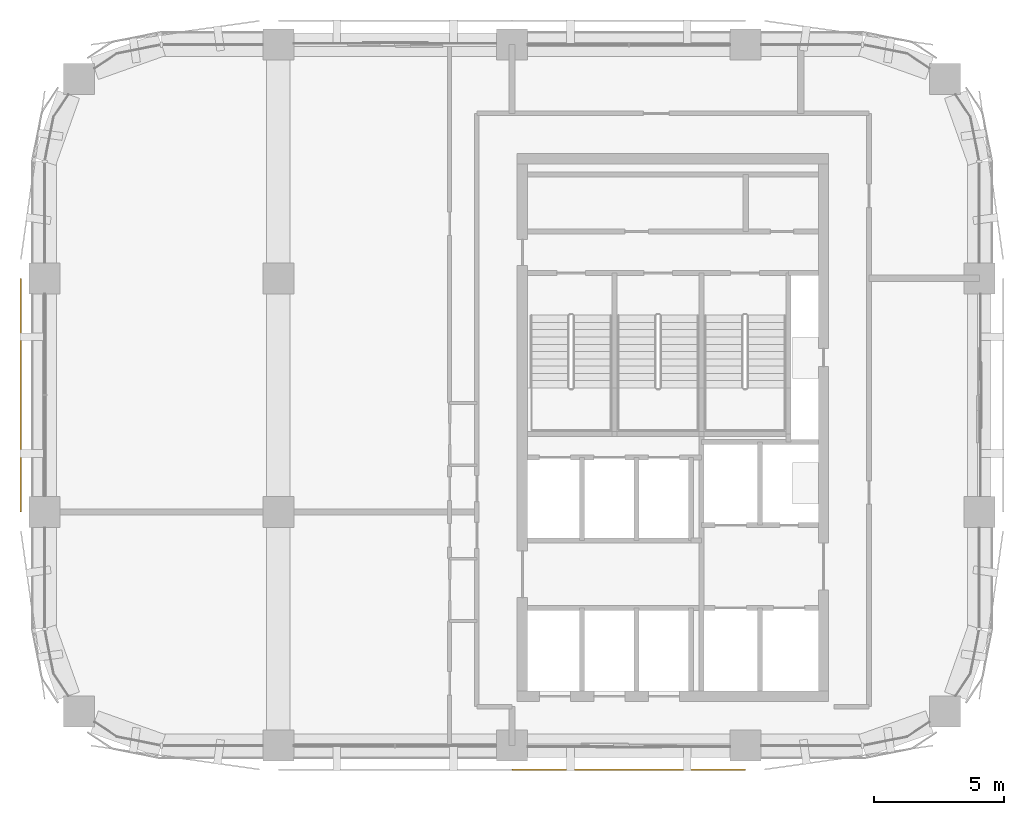
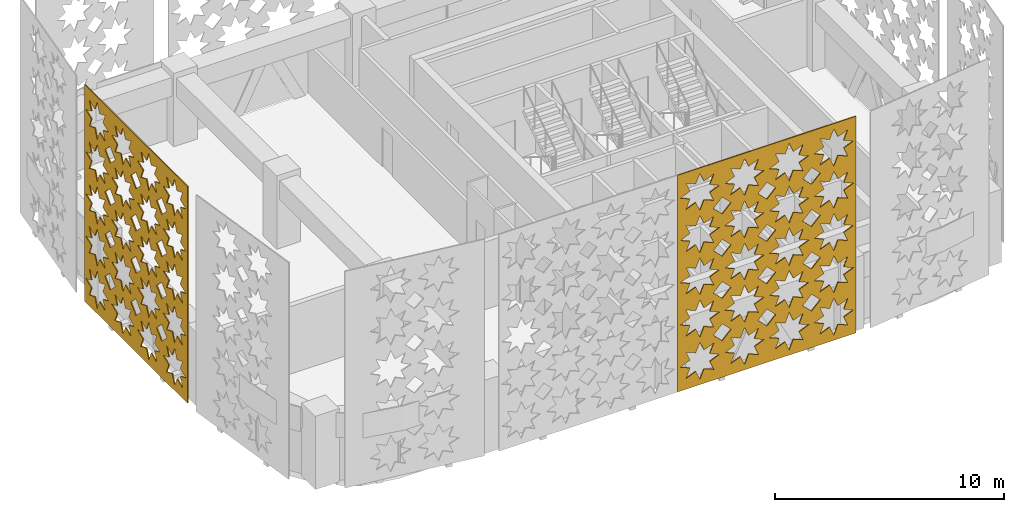
# One storey, part 10 of 14: 2 coverings.
"""IFC4 building model written with IfcOpenShell, lengths in metres."""

import ifcopenshell
import ifcopenshell.guid

model = None  # the IFC model being written
_history = None  # IfcOwnerHistory: only IFC2X3 demands one
_inside = {}  # id of a spatial element -> (the spatial element, [elements in it])
_under = {}  # id of a project, library or spatial element -> (it, [spatial elements below it])
_declared = {}  # id of a project -> (the project, [libraries it declares])
_typed = {}  # id of a type object -> (the type object, [elements of that type])
_made_of = {}  # id of a material, layer set ... -> (it, [elements and type objects made of it])


def new_model(schema):
    """Start an empty IFC model of exactly this schema.

    Asked for "IFC4X3", IfcOpenShell would pick the latest addendum, in which some entities
    have other attributes; the version numbers below select the first issue.
    IFC2X3 requires an IfcOwnerHistory on every rooted entity: one is made here for all.
    """
    global model, _history
    if schema == "IFC4X3":
        model = ifcopenshell.file(schema_version=(4, 3, 0, 0))
    else:
        model = ifcopenshell.file(schema=schema)
    _inside.clear()
    _under.clear()
    _declared.clear()
    _typed.clear()
    _made_of.clear()
    _history = None
    if model.schema == "IFC2X3":
        org = make("IfcOrganization", Name="unknown")
        user = make(
            "IfcPersonAndOrganization",
            ThePerson=make("IfcPerson", FamilyName="unknown"),
            TheOrganization=org,
        )
        app = make(
            "IfcApplication",
            ApplicationDeveloper=org,
            Version="unknown",
            ApplicationFullName="unknown",
            ApplicationIdentifier="unknown",
        )
        _history = make(
            "IfcOwnerHistory",
            OwningUser=user,
            OwningApplication=app,
            ChangeAction="ADDED",
            CreationDate=0,
        )
    return model


def make(cls, **values):
    """One entity of the class cls with the attributes given. An attribute that is None is left unset."""
    return model.create_entity(
        cls, **{name: value for name, value in values.items() if value is not None}
    )


def rooted(cls, **values):
    """An entity with a GlobalId (a new one), such as an element, a storey or a relation."""
    return make(cls, GlobalId=ifcopenshell.guid.new(), OwnerHistory=_history, **values)


def si_unit(unit_type, name, prefix=None):
    """IfcSIUnit, for example si_unit("LENGTHUNIT", "METRE", prefix="MILLI")."""
    return make("IfcSIUnit", UnitType=unit_type, Prefix=prefix, Name=name)


def assignment(units):
    """IfcUnitAssignment: the units of a project."""
    return None if units is None else make("IfcUnitAssignment", Units=units)


def point(xyz):
    """IfcCartesianPoint."""
    return None if xyz is None else make("IfcCartesianPoint", Coordinates=xyz)


def direction(xyz):
    """IfcDirection."""
    return None if xyz is None else make("IfcDirection", DirectionRatios=xyz)


def frame(location, z_axis=None, x_axis=None):
    """IfcAxis2Placement3D, a coordinate frame: its origin and axes. An axis left out is left unset."""
    return make(
        "IfcAxis2Placement3D",
        Location=point(location),
        Axis=direction(z_axis),
        RefDirection=direction(x_axis),
    )


def origin():
    """The frame at (0, 0, 0) with its axes left unset."""
    return frame((0.0, 0.0, 0.0))


def place(relative_to, where):
    """IfcLocalPlacement: puts the frame where relative to a parent placement (None: the world)."""
    return make(
        "IfcLocalPlacement", PlacementRelTo=relative_to, RelativePlacement=where
    )


def context(
    kind, dimensions, precision=None, world=None, true_north=None, identifier=None
):
    """IfcGeometricRepresentationContext, for example the 3D "Model" context."""
    return make(
        "IfcGeometricRepresentationContext",
        ContextIdentifier=identifier,
        ContextType=kind,
        CoordinateSpaceDimension=dimensions,
        Precision=precision,
        WorldCoordinateSystem=world,
        TrueNorth=true_north,
    )


def subcontext(parent, identifier, kind, view, scale=None):
    """IfcGeometricRepresentationSubContext, for example "Body" below "Model"."""
    return make(
        "IfcGeometricRepresentationSubContext",
        ContextIdentifier=identifier,
        ContextType=kind,
        ParentContext=parent,
        TargetScale=scale,
        TargetView=view,
    )


def project(units=None, contexts=None):
    """IfcProject with its units and contexts."""
    return rooted(
        "IfcProject",
        Name="project",
        RepresentationContexts=contexts,
        UnitsInContext=assignment(units),
    )


def spatial(cls, under=None, at=None, **own):
    """A site, building, storey or space (cls), placed at a placement, below another one or the project."""
    s = rooted(cls, ObjectPlacement=at, **own)
    if under is not None:
        _under.setdefault(under.id(), (under, []))[1].append(s)
    return s


def polyline(points):
    """IfcPolyline through the points."""
    return make("IfcPolyline", Points=[point(p) for p in points])


def outline(outer, holes=None, kind="AREA"):
    """IfcArbitraryClosedProfileDef: a profile drawn as a closed curve; with holes, ...WithVoids."""
    if holes is None:
        return make("IfcArbitraryClosedProfileDef", ProfileType=kind, OuterCurve=outer)
    return make(
        "IfcArbitraryProfileDefWithVoids",
        ProfileType=kind,
        OuterCurve=outer,
        InnerCurves=holes,
    )


def extrude(swept, where, along, depth):
    """IfcExtrudedAreaSolid: the profile swept, set in the frame where, extruded along a direction by depth."""
    return make(
        "IfcExtrudedAreaSolid",
        SweptArea=swept,
        Position=where,
        ExtrudedDirection=direction(along),
        Depth=depth,
    )


def shape(context_of_items, identifier, shape_type, items):
    """IfcShapeRepresentation: the items that make up one representation, for example the "Body"."""
    return make(
        "IfcShapeRepresentation",
        ContextOfItems=context_of_items,
        RepresentationIdentifier=identifier,
        RepresentationType=shape_type,
        Items=items,
    )


def material(Name=None, Category=None):
    """IfcMaterial."""
    return make("IfcMaterial", Name=Name, Category=Category)


def layer(
    of_material, thickness, ventilated=None, Name=None, Category=None, Priority=None
):
    """IfcMaterialLayer: one layer of a wall or slab, of a material (None: an air gap)."""
    return make(
        "IfcMaterialLayer",
        Material=of_material,
        LayerThickness=thickness,
        IsVentilated=ventilated,
        Name=Name,
        Category=Category,
        Priority=Priority,
    )


def layer_set(layers, Name=None):
    """IfcMaterialLayerSet."""
    return make("IfcMaterialLayerSet", MaterialLayers=layers, LayerSetName=Name)


def made_of(thing, what):
    """Note that an element or type object is made of a material, layer set ...; save() writes the relation."""
    if what is not None:
        _made_of.setdefault(what.id(), (what, []))[1].append(thing)
    return thing


def type_object(cls, material=None, **own):
    """A type object (cls), such as IfcWallType, which elements share."""
    return made_of(rooted(cls, **own), material)


def element(
    cls,
    number,
    at=None,
    inside=None,
    cuts=None,
    type_object=None,
    material=None,
    context=None,
    identifier="Body",
    shape_type=None,
    held_by="IfcProductDefinitionShape",
    body=None,
    shapes=None,
    **own,
):
    """One element of the class cls, such as IfcWall. Its Tag is "e" and its number.

    at: its placement. inside: the storey or other place that contains it. cuts: it is an
    opening in that element (IfcRelVoidsElement). A single representation is given by context,
    identifier, shape_type and body (its items); several are given by shapes. held_by: the class
    of the entity that holds the representations. save() writes the other relations.
    """
    e = rooted(cls, Tag="e%d" % number, ObjectPlacement=at, **own)
    if body is not None:
        shapes = [shape(context, identifier, shape_type, body)]
    if shapes is not None:
        e.Representation = make(held_by, Representations=shapes)
    if inside is not None:
        _inside.setdefault(inside.id(), (inside, []))[1].append(e)
    if cuts is not None:
        rooted(
            "IfcRelVoidsElement", RelatingBuildingElement=cuts, RelatedOpeningElement=e
        )
    if type_object is not None:
        _typed.setdefault(type_object.id(), (type_object, []))[1].append(e)
    return made_of(e, material)


def aggregate(whole, parts):
    """IfcRelAggregates: a whole, such as a stair, and the parts it consists of."""
    return rooted("IfcRelAggregates", RelatingObject=whole, RelatedObjects=parts)


def save(model, path):
    """Write the relations noted so far, then the file.

    IfcRelAggregates (storeys below a building ...), IfcRelContainedInSpatialStructure (elements
    in a storey), IfcRelDefinesByType, IfcRelAssociatesMaterial and IfcRelDeclares: one each for
    every whole, place, type object, material and project.
    """
    for whole, parts in _under.values():
        aggregate(whole, parts)
    for where, things in _inside.values():
        rooted(
            "IfcRelContainedInSpatialStructure",
            RelatedElements=things,
            RelatingStructure=where,
        )
    for kind, things in _typed.values():
        rooted("IfcRelDefinesByType", RelatedObjects=things, RelatingType=kind)
    for what, things in _made_of.values():
        rooted("IfcRelAssociatesMaterial", RelatedObjects=things, RelatingMaterial=what)
    for by, libraries in _declared.values():
        rooted("IfcRelDeclares", RelatingContext=by, RelatedDefinitions=libraries)
    model.write(path)


model = new_model("IFC4")

# Units and contexts
model_context = context("Model", 3, precision=1e-05, world=origin(), true_north=direction((0.0, 1.0)))
body_context = subcontext(model_context, "Body", "Model", "MODEL_VIEW")
ifc_project = project(units=[si_unit("LENGTHUNIT", "METRE"), si_unit("AREAUNIT", "SQUARE_METRE"), si_unit("VOLUMEUNIT", "CUBIC_METRE"), si_unit("PLANEANGLEUNIT", "RADIAN"), si_unit("MASSUNIT", "GRAM", prefix="KILO")], contexts=[model_context])

# Site, building, storey
site_placement = place(None, origin())
site = spatial("IfcSite", under=ifc_project, at=site_placement, CompositionType="ELEMENT")
building_placement = place(site_placement, origin())
building = spatial("IfcBuilding", under=site, at=building_placement, Name="Tessera Arch", CompositionType="ELEMENT")
storey_placement = place(building_placement, frame((0.0, 0.0, 269.60009765625)))
storey = spatial("IfcBuildingStorey", under=building, at=storey_placement, Name="L65", CompositionType="ELEMENT", Elevation=269.60009765625)

# Coverings
ifc_material = material(Name="Anodised aluminium pale metal", Category="aluminium")
ifc_layer = layer(ifc_material, 0.050048828125)
ifc_layer_set = layer_set([ifc_layer], Name="Pierced screen panel straight bay")
covering_type = type_object("IfcCoveringType", Name="Pierced screen panel straight bay", PredefinedType="CLADDING", material=ifc_layer_set)
covering_1_placement = place(storey_placement, frame((17.10009765625, 45.0, 11.699951171875), z_axis=(1.0, 0.0, 0.0), x_axis=(0.0, -1.0, 0.0)))
element("IfcCovering", 1, at=covering_1_placement, inside=storey, type_object=covering_type, Name="SCREEN pierced panel W18.27/1 L65-L67", PredefinedType="CLADDING", context=body_context, shape_type="SweptSolid", body=[
    extrude(outline(polyline([(0.0, 0.0), (9.0, 0.0), (9.0, 11.5400390625), (0.0, 11.5400390625), (0.0, 0.0)]), holes=[polyline([(2.114990234375, 10.27001953125), (1.6240234375, 10.06298828125), (1.824951171875, 9.570068359375), (1.33203125, 9.77099609375), (1.125, 9.280029296875), (0.91796875, 9.77099609375), (0.425048828125, 9.570068359375), (0.6259765625, 10.06298828125), (0.135009765625, 10.27001953125), (0.6259765625, 10.47705078125), (0.425048828125, 10.969970703125), (0.91796875, 10.76904296875), (1.125, 11.260009765625), (1.33203125, 10.76904296875), (1.824951171875, 10.969970703125), (1.6240234375, 10.47705078125), (2.114990234375, 10.27001953125)]), polyline([(2.114990234375, 8.02001953125), (1.6240234375, 7.81298828125), (1.824951171875, 7.320068359375), (1.33203125, 7.52099609375), (1.125, 7.030029296875), (0.91796875, 7.52099609375), (0.425048828125, 7.320068359375), (0.6259765625, 7.81298828125), (0.135009765625, 8.02001953125), (0.6259765625, 8.22705078125), (0.425048828125, 8.719970703125), (0.91796875, 8.51904296875), (1.125, 9.010009765625), (1.33203125, 8.51904296875), (1.824951171875, 8.719970703125), (1.6240234375, 8.22705078125), (2.114990234375, 8.02001953125)]), polyline([(2.114990234375, 5.77001953125), (1.6240234375, 5.56298828125), (1.824951171875, 5.070068359375), (1.33203125, 5.27099609375), (1.125, 4.780029296875), (0.91796875, 5.27099609375), (0.425048828125, 5.070068359375), (0.6259765625, 5.56298828125), (0.135009765625, 5.77001953125), (0.6259765625, 5.97705078125), (0.425048828125, 6.469970703125), (0.91796875, 6.26904296875), (1.125, 6.760009765625), (1.33203125, 6.26904296875), (1.824951171875, 6.469970703125), (1.6240234375, 5.97705078125), (2.114990234375, 5.77001953125)]), polyline([(2.114990234375, 3.52001953125), (1.6240234375, 3.31298828125), (1.824951171875, 2.820068359375), (1.33203125, 3.02099609375), (1.125, 2.530029296875), (0.91796875, 3.02099609375), (0.425048828125, 2.820068359375), (0.6259765625, 3.31298828125), (0.135009765625, 3.52001953125), (0.6259765625, 3.72705078125), (0.425048828125, 4.219970703125), (0.91796875, 4.01904296875), (1.125, 4.510009765625), (1.33203125, 4.01904296875), (1.824951171875, 4.219970703125), (1.6240234375, 3.72705078125), (2.114990234375, 3.52001953125)]), polyline([(2.114990234375, 1.27001953125), (1.6240234375, 1.06298828125), (1.824951171875, 0.570068359375), (1.33203125, 0.77099609375), (1.125, 0.280029296875), (0.91796875, 0.77099609375), (0.425048828125, 0.570068359375), (0.6259765625, 1.06298828125), (0.135009765625, 1.27001953125), (0.6259765625, 1.47705078125), (0.425048828125, 1.969970703125), (0.91796875, 1.76904296875), (1.125, 2.260009765625), (1.33203125, 1.76904296875), (1.824951171875, 1.969970703125), (1.6240234375, 1.47705078125), (2.114990234375, 1.27001953125)]), polyline([(4.364990234375, 10.27001953125), (3.8740234375, 10.06298828125), (4.074951171875, 9.570068359375), (3.58203125, 9.77099609375), (3.375, 9.280029296875), (3.16796875, 9.77099609375), (2.675048828125, 9.570068359375), (2.8759765625, 10.06298828125), (2.385009765625, 10.27001953125), (2.8759765625, 10.47705078125), (2.675048828125, 10.969970703125), (3.16796875, 10.76904296875), (3.375, 11.260009765625), (3.58203125, 10.76904296875), (4.074951171875, 10.969970703125), (3.8740234375, 10.47705078125), (4.364990234375, 10.27001953125)]), polyline([(4.364990234375, 8.02001953125), (3.8740234375, 7.81298828125), (4.074951171875, 7.320068359375), (3.58203125, 7.52099609375), (3.375, 7.030029296875), (3.16796875, 7.52099609375), (2.675048828125, 7.320068359375), (2.8759765625, 7.81298828125), (2.385009765625, 8.02001953125), (2.8759765625, 8.22705078125), (2.675048828125, 8.719970703125), (3.16796875, 8.51904296875), (3.375, 9.010009765625), (3.58203125, 8.51904296875), (4.074951171875, 8.719970703125), (3.8740234375, 8.22705078125), (4.364990234375, 8.02001953125)]), polyline([(4.364990234375, 5.77001953125), (3.8740234375, 5.56298828125), (4.074951171875, 5.070068359375), (3.58203125, 5.27099609375), (3.375, 4.780029296875), (3.16796875, 5.27099609375), (2.675048828125, 5.070068359375), (2.8759765625, 5.56298828125), (2.385009765625, 5.77001953125), (2.8759765625, 5.97705078125), (2.675048828125, 6.469970703125), (3.16796875, 6.26904296875), (3.375, 6.760009765625), (3.58203125, 6.26904296875), (4.074951171875, 6.469970703125), (3.8740234375, 5.97705078125), (4.364990234375, 5.77001953125)]), polyline([(4.364990234375, 3.52001953125), (3.8740234375, 3.31298828125), (4.074951171875, 2.820068359375), (3.58203125, 3.02099609375), (3.375, 2.530029296875), (3.16796875, 3.02099609375), (2.675048828125, 2.820068359375), (2.8759765625, 3.31298828125), (2.385009765625, 3.52001953125), (2.8759765625, 3.72705078125), (2.675048828125, 4.219970703125), (3.16796875, 4.01904296875), (3.375, 4.510009765625), (3.58203125, 4.01904296875), (4.074951171875, 4.219970703125), (3.8740234375, 3.72705078125), (4.364990234375, 3.52001953125)]), polyline([(4.364990234375, 1.27001953125), (3.8740234375, 1.06298828125), (4.074951171875, 0.570068359375), (3.58203125, 0.77099609375), (3.375, 0.280029296875), (3.16796875, 0.77099609375), (2.675048828125, 0.570068359375), (2.8759765625, 1.06298828125), (2.385009765625, 1.27001953125), (2.8759765625, 1.47705078125), (2.675048828125, 1.969970703125), (3.16796875, 1.76904296875), (3.375, 2.260009765625), (3.58203125, 1.76904296875), (4.074951171875, 1.969970703125), (3.8740234375, 1.47705078125), (4.364990234375, 1.27001953125)]), polyline([(6.614990234375, 10.27001953125), (6.1240234375, 10.06298828125), (6.324951171875, 9.570068359375), (5.83203125, 9.77099609375), (5.625, 9.280029296875), (5.41796875, 9.77099609375), (4.925048828125, 9.570068359375), (5.1259765625, 10.06298828125), (4.635009765625, 10.27001953125), (5.1259765625, 10.47705078125), (4.925048828125, 10.969970703125), (5.41796875, 10.76904296875), (5.625, 11.260009765625), (5.83203125, 10.76904296875), (6.324951171875, 10.969970703125), (6.1240234375, 10.47705078125), (6.614990234375, 10.27001953125)]), polyline([(6.614990234375, 8.02001953125), (6.1240234375, 7.81298828125), (6.324951171875, 7.320068359375), (5.83203125, 7.52099609375), (5.625, 7.030029296875), (5.41796875, 7.52099609375), (4.925048828125, 7.320068359375), (5.1259765625, 7.81298828125), (4.635009765625, 8.02001953125), (5.1259765625, 8.22705078125), (4.925048828125, 8.719970703125), (5.41796875, 8.51904296875), (5.625, 9.010009765625), (5.83203125, 8.51904296875), (6.324951171875, 8.719970703125), (6.1240234375, 8.22705078125), (6.614990234375, 8.02001953125)]), polyline([(6.614990234375, 5.77001953125), (6.1240234375, 5.56298828125), (6.324951171875, 5.070068359375), (5.83203125, 5.27099609375), (5.625, 4.780029296875), (5.41796875, 5.27099609375), (4.925048828125, 5.070068359375), (5.1259765625, 5.56298828125), (4.635009765625, 5.77001953125), (5.1259765625, 5.97705078125), (4.925048828125, 6.469970703125), (5.41796875, 6.26904296875), (5.625, 6.760009765625), (5.83203125, 6.26904296875), (6.324951171875, 6.469970703125), (6.1240234375, 5.97705078125), (6.614990234375, 5.77001953125)]), polyline([(6.614990234375, 3.52001953125), (6.1240234375, 3.31298828125), (6.324951171875, 2.820068359375), (5.83203125, 3.02099609375), (5.625, 2.530029296875), (5.41796875, 3.02099609375), (4.925048828125, 2.820068359375), (5.1259765625, 3.31298828125), (4.635009765625, 3.52001953125), (5.1259765625, 3.72705078125), (4.925048828125, 4.219970703125), (5.41796875, 4.01904296875), (5.625, 4.510009765625), (5.83203125, 4.01904296875), (6.324951171875, 4.219970703125), (6.1240234375, 3.72705078125), (6.614990234375, 3.52001953125)]), polyline([(6.614990234375, 1.27001953125), (6.1240234375, 1.06298828125), (6.324951171875, 0.570068359375), (5.83203125, 0.77099609375), (5.625, 0.280029296875), (5.41796875, 0.77099609375), (4.925048828125, 0.570068359375), (5.1259765625, 1.06298828125), (4.635009765625, 1.27001953125), (5.1259765625, 1.47705078125), (4.925048828125, 1.969970703125), (5.41796875, 1.76904296875), (5.625, 2.260009765625), (5.83203125, 1.76904296875), (6.324951171875, 1.969970703125), (6.1240234375, 1.47705078125), (6.614990234375, 1.27001953125)]), polyline([(8.864990234375, 10.27001953125), (8.3740234375, 10.06298828125), (8.574951171875, 9.570068359375), (8.08203125, 9.77099609375), (7.875, 9.280029296875), (7.66796875, 9.77099609375), (7.175048828125, 9.570068359375), (7.3759765625, 10.06298828125), (6.885009765625, 10.27001953125), (7.3759765625, 10.47705078125), (7.175048828125, 10.969970703125), (7.66796875, 10.76904296875), (7.875, 11.260009765625), (8.08203125, 10.76904296875), (8.574951171875, 10.969970703125), (8.3740234375, 10.47705078125), (8.864990234375, 10.27001953125)]), polyline([(8.864990234375, 8.02001953125), (8.3740234375, 7.81298828125), (8.574951171875, 7.320068359375), (8.08203125, 7.52099609375), (7.875, 7.030029296875), (7.66796875, 7.52099609375), (7.175048828125, 7.320068359375), (7.3759765625, 7.81298828125), (6.885009765625, 8.02001953125), (7.3759765625, 8.22705078125), (7.175048828125, 8.719970703125), (7.66796875, 8.51904296875), (7.875, 9.010009765625), (8.08203125, 8.51904296875), (8.574951171875, 8.719970703125), (8.3740234375, 8.22705078125), (8.864990234375, 8.02001953125)]), polyline([(8.864990234375, 5.77001953125), (8.3740234375, 5.56298828125), (8.574951171875, 5.070068359375), (8.08203125, 5.27099609375), (7.875, 4.780029296875), (7.66796875, 5.27099609375), (7.175048828125, 5.070068359375), (7.3759765625, 5.56298828125), (6.885009765625, 5.77001953125), (7.3759765625, 5.97705078125), (7.175048828125, 6.469970703125), (7.66796875, 6.26904296875), (7.875, 6.760009765625), (8.08203125, 6.26904296875), (8.574951171875, 6.469970703125), (8.3740234375, 5.97705078125), (8.864990234375, 5.77001953125)]), polyline([(8.864990234375, 3.52001953125), (8.3740234375, 3.31298828125), (8.574951171875, 2.820068359375), (8.08203125, 3.02099609375), (7.875, 2.530029296875), (7.66796875, 3.02099609375), (7.175048828125, 2.820068359375), (7.3759765625, 3.31298828125), (6.885009765625, 3.52001953125), (7.3759765625, 3.72705078125), (7.175048828125, 4.219970703125), (7.66796875, 4.01904296875), (7.875, 4.510009765625), (8.08203125, 4.01904296875), (8.574951171875, 4.219970703125), (8.3740234375, 3.72705078125), (8.864990234375, 3.52001953125)]), polyline([(8.864990234375, 1.27001953125), (8.3740234375, 1.06298828125), (8.574951171875, 0.570068359375), (8.08203125, 0.77099609375), (7.875, 0.280029296875), (7.66796875, 0.77099609375), (7.175048828125, 0.570068359375), (7.3759765625, 1.06298828125), (6.885009765625, 1.27001953125), (7.3759765625, 1.47705078125), (7.175048828125, 1.969970703125), (7.66796875, 1.76904296875), (7.875, 2.260009765625), (8.08203125, 1.76904296875), (8.574951171875, 1.969970703125), (8.3740234375, 1.47705078125), (8.864990234375, 1.27001953125)]), polyline([(2.699951171875, 9.14501953125), (2.25, 8.695068359375), (1.800048828125, 9.14501953125), (2.25, 9.594970703125), (2.699951171875, 9.14501953125)]), polyline([(2.699951171875, 6.89501953125), (2.25, 6.445068359375), (1.800048828125, 6.89501953125), (2.25, 7.344970703125), (2.699951171875, 6.89501953125)]), polyline([(2.699951171875, 4.64501953125), (2.25, 4.195068359375), (1.800048828125, 4.64501953125), (2.25, 5.094970703125), (2.699951171875, 4.64501953125)]), polyline([(2.699951171875, 2.39501953125), (2.25, 1.945068359375), (1.800048828125, 2.39501953125), (2.25, 2.844970703125), (2.699951171875, 2.39501953125)]), polyline([(4.949951171875, 9.14501953125), (4.5, 8.695068359375), (4.050048828125, 9.14501953125), (4.5, 9.594970703125), (4.949951171875, 9.14501953125)]), polyline([(4.949951171875, 6.89501953125), (4.5, 6.445068359375), (4.050048828125, 6.89501953125), (4.5, 7.344970703125), (4.949951171875, 6.89501953125)]), polyline([(4.949951171875, 4.64501953125), (4.5, 4.195068359375), (4.050048828125, 4.64501953125), (4.5, 5.094970703125), (4.949951171875, 4.64501953125)]), polyline([(4.949951171875, 2.39501953125), (4.5, 1.945068359375), (4.050048828125, 2.39501953125), (4.5, 2.844970703125), (4.949951171875, 2.39501953125)]), polyline([(7.199951171875, 9.14501953125), (6.75, 8.695068359375), (6.300048828125, 9.14501953125), (6.75, 9.594970703125), (7.199951171875, 9.14501953125)]), polyline([(7.199951171875, 6.89501953125), (6.75, 6.445068359375), (6.300048828125, 6.89501953125), (6.75, 7.344970703125), (7.199951171875, 6.89501953125)]), polyline([(7.199951171875, 4.64501953125), (6.75, 4.195068359375), (6.300048828125, 4.64501953125), (6.75, 5.094970703125), (7.199951171875, 4.64501953125)]), polyline([(7.199951171875, 2.39501953125), (6.75, 1.945068359375), (6.300048828125, 2.39501953125), (6.75, 2.844970703125), (7.199951171875, 2.39501953125)])]), origin(), (0.0, 0.0, -1.0), 0.050048828125),
])
covering_2_placement = place(storey_placement, frame((36.0, 26.10009765625, 11.699951171875), z_axis=(0.0, 1.0, 0.0), x_axis=(1.0, 0.0, 0.0)))
element("IfcCovering", 2, at=covering_2_placement, inside=storey, type_object=covering_type, Name="SCREEN pierced panel S27.18/2 L65-L67", PredefinedType="CLADDING", context=body_context, shape_type="SweptSolid", body=[
    extrude(outline(polyline([(0.0, 0.0), (9.0, 0.0), (9.0, 11.5400390625), (0.0, 11.5400390625), (0.0, 0.0)]), holes=[polyline([(2.114990234375, 10.27001953125), (1.6240234375, 10.06298828125), (1.824951171875, 9.570068359375), (1.33203125, 9.77099609375), (1.125, 9.280029296875), (0.91796875, 9.77099609375), (0.425048828125, 9.570068359375), (0.6259765625, 10.06298828125), (0.135009765625, 10.27001953125), (0.6259765625, 10.47705078125), (0.425048828125, 10.969970703125), (0.91796875, 10.76904296875), (1.125, 11.260009765625), (1.33203125, 10.76904296875), (1.824951171875, 10.969970703125), (1.6240234375, 10.47705078125), (2.114990234375, 10.27001953125)]), polyline([(2.114990234375, 8.02001953125), (1.6240234375, 7.81298828125), (1.824951171875, 7.320068359375), (1.33203125, 7.52099609375), (1.125, 7.030029296875), (0.91796875, 7.52099609375), (0.425048828125, 7.320068359375), (0.6259765625, 7.81298828125), (0.135009765625, 8.02001953125), (0.6259765625, 8.22705078125), (0.425048828125, 8.719970703125), (0.91796875, 8.51904296875), (1.125, 9.010009765625), (1.33203125, 8.51904296875), (1.824951171875, 8.719970703125), (1.6240234375, 8.22705078125), (2.114990234375, 8.02001953125)]), polyline([(2.114990234375, 5.77001953125), (1.6240234375, 5.56298828125), (1.824951171875, 5.070068359375), (1.33203125, 5.27099609375), (1.125, 4.780029296875), (0.91796875, 5.27099609375), (0.425048828125, 5.070068359375), (0.6259765625, 5.56298828125), (0.135009765625, 5.77001953125), (0.6259765625, 5.97705078125), (0.425048828125, 6.469970703125), (0.91796875, 6.26904296875), (1.125, 6.760009765625), (1.33203125, 6.26904296875), (1.824951171875, 6.469970703125), (1.6240234375, 5.97705078125), (2.114990234375, 5.77001953125)]), polyline([(2.114990234375, 3.52001953125), (1.6240234375, 3.31298828125), (1.824951171875, 2.820068359375), (1.33203125, 3.02099609375), (1.125, 2.530029296875), (0.91796875, 3.02099609375), (0.425048828125, 2.820068359375), (0.6259765625, 3.31298828125), (0.135009765625, 3.52001953125), (0.6259765625, 3.72705078125), (0.425048828125, 4.219970703125), (0.91796875, 4.01904296875), (1.125, 4.510009765625), (1.33203125, 4.01904296875), (1.824951171875, 4.219970703125), (1.6240234375, 3.72705078125), (2.114990234375, 3.52001953125)]), polyline([(2.114990234375, 1.27001953125), (1.6240234375, 1.06298828125), (1.824951171875, 0.570068359375), (1.33203125, 0.77099609375), (1.125, 0.280029296875), (0.91796875, 0.77099609375), (0.425048828125, 0.570068359375), (0.6259765625, 1.06298828125), (0.135009765625, 1.27001953125), (0.6259765625, 1.47705078125), (0.425048828125, 1.969970703125), (0.91796875, 1.76904296875), (1.125, 2.260009765625), (1.33203125, 1.76904296875), (1.824951171875, 1.969970703125), (1.6240234375, 1.47705078125), (2.114990234375, 1.27001953125)]), polyline([(4.364990234375, 10.27001953125), (3.8740234375, 10.06298828125), (4.074951171875, 9.570068359375), (3.58203125, 9.77099609375), (3.375, 9.280029296875), (3.16796875, 9.77099609375), (2.675048828125, 9.570068359375), (2.8759765625, 10.06298828125), (2.385009765625, 10.27001953125), (2.8759765625, 10.47705078125), (2.675048828125, 10.969970703125), (3.16796875, 10.76904296875), (3.375, 11.260009765625), (3.58203125, 10.76904296875), (4.074951171875, 10.969970703125), (3.8740234375, 10.47705078125), (4.364990234375, 10.27001953125)]), polyline([(4.364990234375, 8.02001953125), (3.8740234375, 7.81298828125), (4.074951171875, 7.320068359375), (3.58203125, 7.52099609375), (3.375, 7.030029296875), (3.16796875, 7.52099609375), (2.675048828125, 7.320068359375), (2.8759765625, 7.81298828125), (2.385009765625, 8.02001953125), (2.8759765625, 8.22705078125), (2.675048828125, 8.719970703125), (3.16796875, 8.51904296875), (3.375, 9.010009765625), (3.58203125, 8.51904296875), (4.074951171875, 8.719970703125), (3.8740234375, 8.22705078125), (4.364990234375, 8.02001953125)]), polyline([(4.364990234375, 5.77001953125), (3.8740234375, 5.56298828125), (4.074951171875, 5.070068359375), (3.58203125, 5.27099609375), (3.375, 4.780029296875), (3.16796875, 5.27099609375), (2.675048828125, 5.070068359375), (2.8759765625, 5.56298828125), (2.385009765625, 5.77001953125), (2.8759765625, 5.97705078125), (2.675048828125, 6.469970703125), (3.16796875, 6.26904296875), (3.375, 6.760009765625), (3.58203125, 6.26904296875), (4.074951171875, 6.469970703125), (3.8740234375, 5.97705078125), (4.364990234375, 5.77001953125)]), polyline([(4.364990234375, 3.52001953125), (3.8740234375, 3.31298828125), (4.074951171875, 2.820068359375), (3.58203125, 3.02099609375), (3.375, 2.530029296875), (3.16796875, 3.02099609375), (2.675048828125, 2.820068359375), (2.8759765625, 3.31298828125), (2.385009765625, 3.52001953125), (2.8759765625, 3.72705078125), (2.675048828125, 4.219970703125), (3.16796875, 4.01904296875), (3.375, 4.510009765625), (3.58203125, 4.01904296875), (4.074951171875, 4.219970703125), (3.8740234375, 3.72705078125), (4.364990234375, 3.52001953125)]), polyline([(4.364990234375, 1.27001953125), (3.8740234375, 1.06298828125), (4.074951171875, 0.570068359375), (3.58203125, 0.77099609375), (3.375, 0.280029296875), (3.16796875, 0.77099609375), (2.675048828125, 0.570068359375), (2.8759765625, 1.06298828125), (2.385009765625, 1.27001953125), (2.8759765625, 1.47705078125), (2.675048828125, 1.969970703125), (3.16796875, 1.76904296875), (3.375, 2.260009765625), (3.58203125, 1.76904296875), (4.074951171875, 1.969970703125), (3.8740234375, 1.47705078125), (4.364990234375, 1.27001953125)]), polyline([(6.614990234375, 10.27001953125), (6.1240234375, 10.06298828125), (6.324951171875, 9.570068359375), (5.83203125, 9.77099609375), (5.625, 9.280029296875), (5.41796875, 9.77099609375), (4.925048828125, 9.570068359375), (5.1259765625, 10.06298828125), (4.635009765625, 10.27001953125), (5.1259765625, 10.47705078125), (4.925048828125, 10.969970703125), (5.41796875, 10.76904296875), (5.625, 11.260009765625), (5.83203125, 10.76904296875), (6.324951171875, 10.969970703125), (6.1240234375, 10.47705078125), (6.614990234375, 10.27001953125)]), polyline([(6.614990234375, 8.02001953125), (6.1240234375, 7.81298828125), (6.324951171875, 7.320068359375), (5.83203125, 7.52099609375), (5.625, 7.030029296875), (5.41796875, 7.52099609375), (4.925048828125, 7.320068359375), (5.1259765625, 7.81298828125), (4.635009765625, 8.02001953125), (5.1259765625, 8.22705078125), (4.925048828125, 8.719970703125), (5.41796875, 8.51904296875), (5.625, 9.010009765625), (5.83203125, 8.51904296875), (6.324951171875, 8.719970703125), (6.1240234375, 8.22705078125), (6.614990234375, 8.02001953125)]), polyline([(6.614990234375, 5.77001953125), (6.1240234375, 5.56298828125), (6.324951171875, 5.070068359375), (5.83203125, 5.27099609375), (5.625, 4.780029296875), (5.41796875, 5.27099609375), (4.925048828125, 5.070068359375), (5.1259765625, 5.56298828125), (4.635009765625, 5.77001953125), (5.1259765625, 5.97705078125), (4.925048828125, 6.469970703125), (5.41796875, 6.26904296875), (5.625, 6.760009765625), (5.83203125, 6.26904296875), (6.324951171875, 6.469970703125), (6.1240234375, 5.97705078125), (6.614990234375, 5.77001953125)]), polyline([(6.614990234375, 3.52001953125), (6.1240234375, 3.31298828125), (6.324951171875, 2.820068359375), (5.83203125, 3.02099609375), (5.625, 2.530029296875), (5.41796875, 3.02099609375), (4.925048828125, 2.820068359375), (5.1259765625, 3.31298828125), (4.635009765625, 3.52001953125), (5.1259765625, 3.72705078125), (4.925048828125, 4.219970703125), (5.41796875, 4.01904296875), (5.625, 4.510009765625), (5.83203125, 4.01904296875), (6.324951171875, 4.219970703125), (6.1240234375, 3.72705078125), (6.614990234375, 3.52001953125)]), polyline([(6.614990234375, 1.27001953125), (6.1240234375, 1.06298828125), (6.324951171875, 0.570068359375), (5.83203125, 0.77099609375), (5.625, 0.280029296875), (5.41796875, 0.77099609375), (4.925048828125, 0.570068359375), (5.1259765625, 1.06298828125), (4.635009765625, 1.27001953125), (5.1259765625, 1.47705078125), (4.925048828125, 1.969970703125), (5.41796875, 1.76904296875), (5.625, 2.260009765625), (5.83203125, 1.76904296875), (6.324951171875, 1.969970703125), (6.1240234375, 1.47705078125), (6.614990234375, 1.27001953125)]), polyline([(8.864990234375, 10.27001953125), (8.3740234375, 10.06298828125), (8.574951171875, 9.570068359375), (8.08203125, 9.77099609375), (7.875, 9.280029296875), (7.66796875, 9.77099609375), (7.175048828125, 9.570068359375), (7.3759765625, 10.06298828125), (6.885009765625, 10.27001953125), (7.3759765625, 10.47705078125), (7.175048828125, 10.969970703125), (7.66796875, 10.76904296875), (7.875, 11.260009765625), (8.08203125, 10.76904296875), (8.574951171875, 10.969970703125), (8.3740234375, 10.47705078125), (8.864990234375, 10.27001953125)]), polyline([(8.864990234375, 8.02001953125), (8.3740234375, 7.81298828125), (8.574951171875, 7.320068359375), (8.08203125, 7.52099609375), (7.875, 7.030029296875), (7.66796875, 7.52099609375), (7.175048828125, 7.320068359375), (7.3759765625, 7.81298828125), (6.885009765625, 8.02001953125), (7.3759765625, 8.22705078125), (7.175048828125, 8.719970703125), (7.66796875, 8.51904296875), (7.875, 9.010009765625), (8.08203125, 8.51904296875), (8.574951171875, 8.719970703125), (8.3740234375, 8.22705078125), (8.864990234375, 8.02001953125)]), polyline([(8.864990234375, 5.77001953125), (8.3740234375, 5.56298828125), (8.574951171875, 5.070068359375), (8.08203125, 5.27099609375), (7.875, 4.780029296875), (7.66796875, 5.27099609375), (7.175048828125, 5.070068359375), (7.3759765625, 5.56298828125), (6.885009765625, 5.77001953125), (7.3759765625, 5.97705078125), (7.175048828125, 6.469970703125), (7.66796875, 6.26904296875), (7.875, 6.760009765625), (8.08203125, 6.26904296875), (8.574951171875, 6.469970703125), (8.3740234375, 5.97705078125), (8.864990234375, 5.77001953125)]), polyline([(8.864990234375, 3.52001953125), (8.3740234375, 3.31298828125), (8.574951171875, 2.820068359375), (8.08203125, 3.02099609375), (7.875, 2.530029296875), (7.66796875, 3.02099609375), (7.175048828125, 2.820068359375), (7.3759765625, 3.31298828125), (6.885009765625, 3.52001953125), (7.3759765625, 3.72705078125), (7.175048828125, 4.219970703125), (7.66796875, 4.01904296875), (7.875, 4.510009765625), (8.08203125, 4.01904296875), (8.574951171875, 4.219970703125), (8.3740234375, 3.72705078125), (8.864990234375, 3.52001953125)]), polyline([(8.864990234375, 1.27001953125), (8.3740234375, 1.06298828125), (8.574951171875, 0.570068359375), (8.08203125, 0.77099609375), (7.875, 0.280029296875), (7.66796875, 0.77099609375), (7.175048828125, 0.570068359375), (7.3759765625, 1.06298828125), (6.885009765625, 1.27001953125), (7.3759765625, 1.47705078125), (7.175048828125, 1.969970703125), (7.66796875, 1.76904296875), (7.875, 2.260009765625), (8.08203125, 1.76904296875), (8.574951171875, 1.969970703125), (8.3740234375, 1.47705078125), (8.864990234375, 1.27001953125)]), polyline([(2.699951171875, 9.14501953125), (2.25, 8.695068359375), (1.800048828125, 9.14501953125), (2.25, 9.594970703125), (2.699951171875, 9.14501953125)]), polyline([(2.699951171875, 6.89501953125), (2.25, 6.445068359375), (1.800048828125, 6.89501953125), (2.25, 7.344970703125), (2.699951171875, 6.89501953125)]), polyline([(2.699951171875, 4.64501953125), (2.25, 4.195068359375), (1.800048828125, 4.64501953125), (2.25, 5.094970703125), (2.699951171875, 4.64501953125)]), polyline([(2.699951171875, 2.39501953125), (2.25, 1.945068359375), (1.800048828125, 2.39501953125), (2.25, 2.844970703125), (2.699951171875, 2.39501953125)]), polyline([(4.949951171875, 9.14501953125), (4.5, 8.695068359375), (4.050048828125, 9.14501953125), (4.5, 9.594970703125), (4.949951171875, 9.14501953125)]), polyline([(4.949951171875, 6.89501953125), (4.5, 6.445068359375), (4.050048828125, 6.89501953125), (4.5, 7.344970703125), (4.949951171875, 6.89501953125)]), polyline([(4.949951171875, 4.64501953125), (4.5, 4.195068359375), (4.050048828125, 4.64501953125), (4.5, 5.094970703125), (4.949951171875, 4.64501953125)]), polyline([(4.949951171875, 2.39501953125), (4.5, 1.945068359375), (4.050048828125, 2.39501953125), (4.5, 2.844970703125), (4.949951171875, 2.39501953125)]), polyline([(7.199951171875, 9.14501953125), (6.75, 8.695068359375), (6.300048828125, 9.14501953125), (6.75, 9.594970703125), (7.199951171875, 9.14501953125)]), polyline([(7.199951171875, 6.89501953125), (6.75, 6.445068359375), (6.300048828125, 6.89501953125), (6.75, 7.344970703125), (7.199951171875, 6.89501953125)]), polyline([(7.199951171875, 4.64501953125), (6.75, 4.195068359375), (6.300048828125, 4.64501953125), (6.75, 5.094970703125), (7.199951171875, 4.64501953125)]), polyline([(7.199951171875, 2.39501953125), (6.75, 1.945068359375), (6.300048828125, 2.39501953125), (6.75, 2.844970703125), (7.199951171875, 2.39501953125)])]), origin(), (0.0, 0.0, -1.0), 0.050048828125),
])

save(model, "model.ifc")
